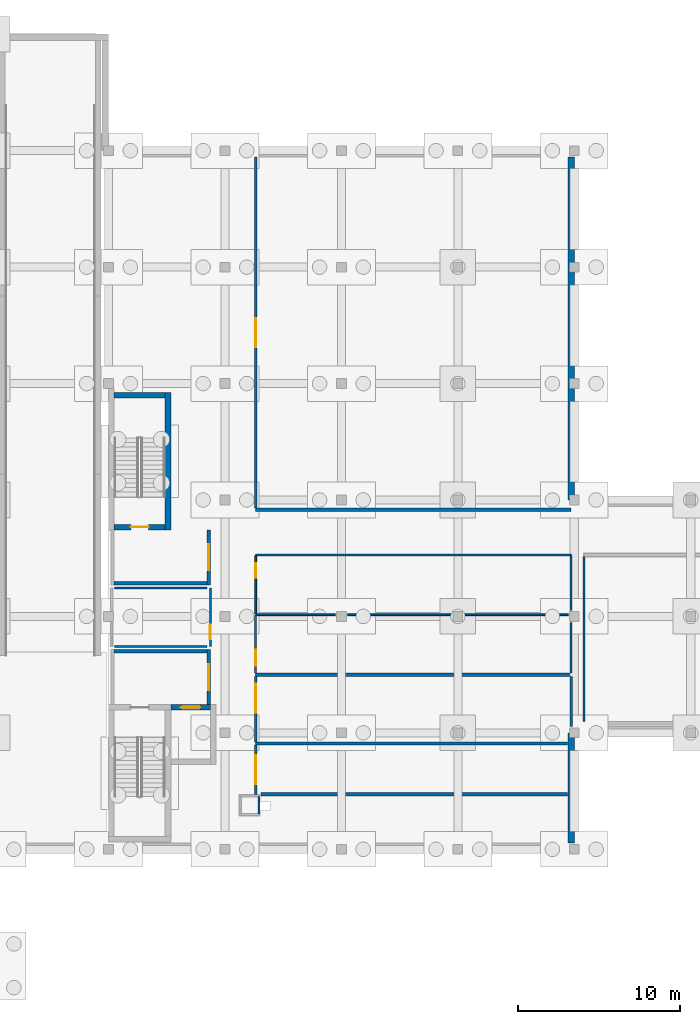
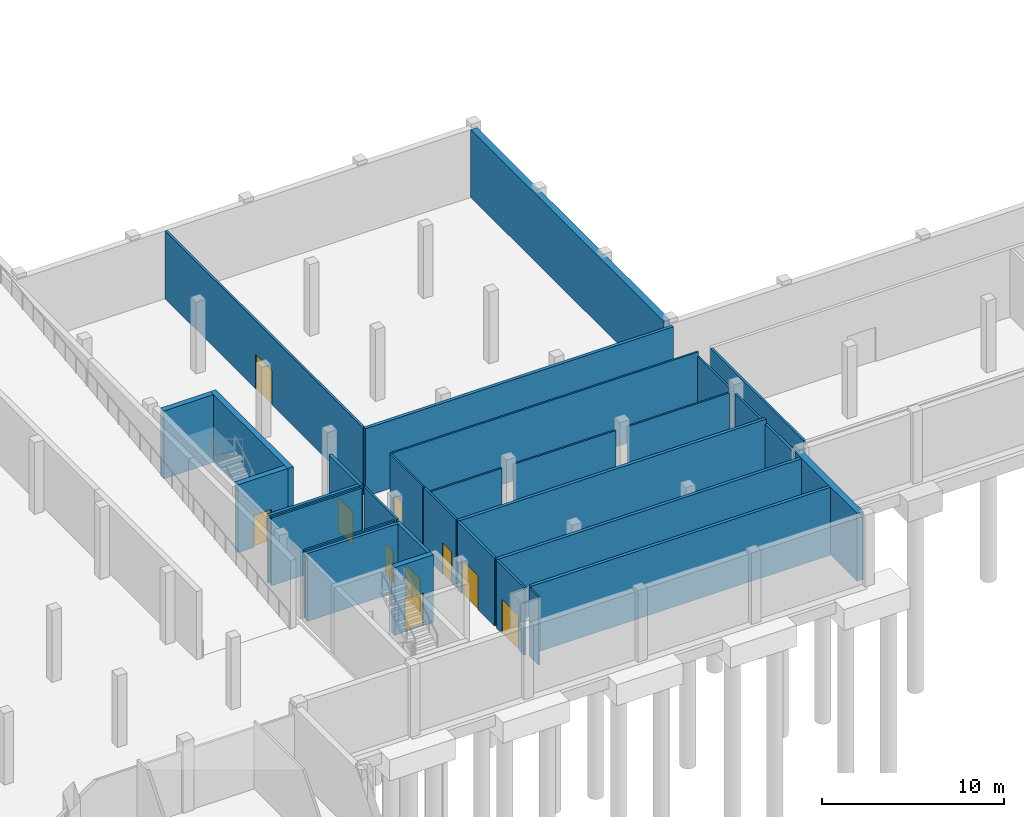
# One storey, part 20 of 35: 31 walls, 10 doors, 10 openings.
"""IFC4 building model written with IfcOpenShell, lengths in metres."""

from ifc_helpers import new_model, si_unit, direction, frame, frame_2d, origin, place, context, subcontext, project, spatial, rectangle, extrude, material, layer, layer_set, type_object, element, fill, save


model = new_model("IFC4")

# Units and contexts
model_context = context("Model", 3, precision=1e-05, world=origin(), true_north=direction((0.0, 1.0)))
body_context = subcontext(model_context, "Body", "Model", "MODEL_VIEW")
ifc_project = project(units=[si_unit("LENGTHUNIT", "METRE"), si_unit("AREAUNIT", "SQUARE_METRE"), si_unit("VOLUMEUNIT", "CUBIC_METRE"), si_unit("PLANEANGLEUNIT", "RADIAN"), si_unit("MASSUNIT", "GRAM", prefix="KILO")], contexts=[model_context])

# Site, building, storey
site_placement = place(None, origin())
site = spatial("IfcSite", under=ifc_project, at=site_placement, CompositionType="ELEMENT")
building_placement = place(site_placement, origin())
building = spatial("IfcBuilding", under=site, at=building_placement, Name="Zarrinpeak Specialist Clinic", CompositionType="ELEMENT")
storey_placement = place(building_placement, frame((0.0, 0.0, -4.800048828125)))
storey = spatial("IfcBuildingStorey", under=building, at=storey_placement, Name="B01", CompositionType="ELEMENT", Elevation=-4.800048828125)

# Wall, opening, door
ifc_material_1 = material(Name="Concrete C40/50", Category="concrete")
ifc_layer_1 = layer(ifc_material_1, 0.35009765625)
ifc_layer_set_1 = layer_set([ifc_layer_1], Name="Concrete C40/50")
wall_type_1 = type_object("IfcWallType", Name="WL-CR350", PredefinedType="SHEAR", material=ifc_layer_set_1)
wall_1_placement = place(storey_placement, frame((97.449951171875, 37.574951171875, 0.0), z_axis=(0.0, 0.0, 1.0), x_axis=(1.0, 0.0, 0.0)))
wall_1 = element("IfcWall", 1, at=wall_1_placement, inside=storey, type_object=wall_type_1, Name="B01 Lift LF-P3 Shaft Wall LFN", PredefinedType="SHEAR", context=body_context, shape_type="SweptSolid", body=[
    extrude(rectangle(XDim=2.449951171875, YDim=0.35009765625, at=frame_2d((1.22509765625, 0.0))), origin(), (0.0, 0.0, 1.0), 4.545166015625),
])
opening_1_placement = place(wall_1_placement, frame((0.625, 0.0, 0.0)))
opening_1 = element("IfcOpeningElement", 2, at=opening_1_placement, cuts=wall_1, Name="Opening LD-02", PredefinedType="OPENING", context=body_context, shape_type="SweptSolid", body=[
    extrude(rectangle(XDim=1.199951171875, YDim=2.199951171875, at=frame_2d((0.60009765625, 1.10009765625))), frame((0.0, 0.18505859375, 0.0), z_axis=(0.0, -1.0, 0.0), x_axis=(1.0, 0.0, 0.0)), (0.0, 0.0, 1.0), 0.3701171875),
])
ifc_material_2 = material(Name="Powder-Coated Galvanised Steel", Category="steel")
door_type_1 = type_object("IfcDoorType", Name="DR-LD120", OperationType="SLIDING_TO_RIGHT", PredefinedType="DOOR", material=ifc_material_2)
door_1_placement = place(opening_1_placement, origin())
door_1 = element("IfcDoor", 3, at=door_1_placement, inside=storey, type_object=door_type_1, Name="B01 Lift LF-P3 Sliding Landing Door", OperationType="SLIDING_TO_RIGHT", OverallHeight=2.199951171875, OverallWidth=1.199951171875, PredefinedType="DOOR", context=body_context, shape_type="SweptSolid", body=[
    extrude(rectangle(XDim=1.199951171875, YDim=2.199951171875, at=frame_2d((0.60009765625, 1.10009765625))), frame((0.0, 0.02490234375, 0.0), z_axis=(0.0, -1.0, 0.0), x_axis=(1.0, 0.0, 0.0)), (0.0, 0.0, 1.0), 0.050048828125),
])
fill(opening_1, door_1)

wall_2_placement = place(storey_placement, frame((93.949951171875, 48.72509765625, 0.0), z_axis=(0.0, 0.0, 1.0), x_axis=(1.0, 0.0, 0.0)))
wall_2 = element("IfcWall", 4, at=wall_2_placement, inside=storey, type_object=wall_type_1, Name="B01 Core C06 Shear Wall STS", PredefinedType="SHEAR", context=body_context, shape_type="SweptSolid", body=[
    extrude(rectangle(XDim=3.150146484375, YDim=0.35009765625, at=frame_2d((1.5751953125, 0.0))), origin(), (0.0, 0.0, 1.0), 4.545166015625),
])
opening_2_placement = place(wall_2_placement, frame((1.02490234375, 0.0, 0.0)))
opening_2 = element("IfcOpeningElement", 5, at=opening_2_placement, cuts=wall_2, Name="Opening D-S02", PredefinedType="OPENING", context=body_context, shape_type="SweptSolid", body=[
    extrude(rectangle(XDim=1.10009765625, YDim=2.14990234375, at=frame_2d((0.550048828125, 1.074951171875))), frame((0.0, 0.18505859375, 0.0), z_axis=(0.0, -1.0, 0.0), x_axis=(1.0, 0.0, 0.0)), (0.0, 0.0, 1.0), 0.3701171875),
])
door_type_2 = type_object("IfcDoorType", Name="DR-FD110", OperationType="SINGLE_SWING_RIGHT", PredefinedType="DOOR", material=ifc_material_2)
door_2_placement = place(opening_2_placement, origin())
door_2 = element("IfcDoor", 6, at=door_2_placement, inside=storey, type_object=door_type_2, Name="B01 Protected Stair ST-06 Fire Door", OperationType="SINGLE_SWING_RIGHT", OverallHeight=2.14990234375, OverallWidth=1.10009765625, PredefinedType="DOOR", context=body_context, shape_type="SweptSolid", body=[
    extrude(rectangle(XDim=1.10009765625, YDim=2.14990234375, at=frame_2d((0.550048828125, 1.074951171875))), frame((0.0, 0.02490234375, 0.0), z_axis=(0.0, -1.0, 0.0), x_axis=(1.0, 0.0, 0.0)), (0.0, 0.0, 1.0), 0.050048828125),
])
fill(opening_2, door_2)

# Walls
wall_3_placement = place(storey_placement, frame((93.949951171875, 56.875, 0.0), z_axis=(0.0, 0.0, 1.0), x_axis=(1.0, 0.0, 0.0)))
element("IfcWall", 7, at=wall_3_placement, inside=storey, type_object=wall_type_1, Name="B01 Core C06 Shear Wall STN", PredefinedType="SHEAR", context=body_context, shape_type="SweptSolid", body=[
    extrude(rectangle(XDim=3.150146484375, YDim=0.35009765625, at=frame_2d((1.5751953125, 0.0))), origin(), (0.0, 0.0, 1.0), 4.545166015625),
])
wall_4_placement = place(storey_placement, frame((97.27490234375, 48.550048828125, 0.0), z_axis=(0.0, 0.0, 1.0), x_axis=(0.0, 1.0, 0.0)))
element("IfcWall", 8, at=wall_4_placement, inside=storey, type_object=wall_type_1, Name="B01 Core C06 Shear Wall STE", PredefinedType="SHEAR", context=body_context, shape_type="SweptSolid", body=[
    extrude(rectangle(XDim=8.5, YDim=0.35009765625, at=frame_2d((4.25, 0.0))), origin(), (0.0, 0.0, 1.0), 4.545166015625),
])
ifc_material_3 = material(Name="Sanitary Service Chase Plumbing Wall", Category="gypsum")
ifc_layer_2 = layer(ifc_material_3, 0.110107421875)
ifc_layer_set_2 = layer_set([ifc_layer_2], Name="Sanitary Service Chase Plumbing Wall")
wall_type_2 = type_object("IfcWallType", Name="WL-IW110", PredefinedType="PARTITIONING", material=ifc_layer_set_2)
wall_5_placement = place(storey_placement, frame((102.905029296875, 31.0, 0.0), z_axis=(0.0, 0.0, 1.0), x_axis=(0.0, 1.0, 0.0)))
element("IfcWall", 9, at=wall_5_placement, inside=storey, type_object=wall_type_2, Name="B01 V3 Enclosed MEP Service Riser Wall E", PredefinedType="PARTITIONING", context=body_context, shape_type="SweptSolid", body=[
    extrude(rectangle(XDim=1.050048828125, YDim=0.110107421875, at=frame_2d((0.52490234375, 0.0))), origin(), (0.0, 0.0, 1.0), 4.5400390625),
])
wall_6_placement = place(storey_placement, frame((102.699951171875, 43.300048828125, 0.0), z_axis=(0.0, 0.0, 1.0), x_axis=(1.0, 0.0, 0.0)))
element("IfcWall", 10, at=wall_6_placement, inside=storey, type_object=wall_type_2, Name="B01 Accessible Changing WC Partition", PredefinedType="PARTITIONING", context=body_context, shape_type="SweptSolid", body=[
    extrude(rectangle(XDim=4.920166015625, YDim=0.110107421875, at=frame_2d((2.4599609375, 0.0))), origin(), (0.0, 0.0, 1.0), 4.094970703125),
])
wall_7_placement = place(storey_placement, frame((108.3798828125, 43.300048828125, 0.0), z_axis=(0.0, 0.0, 1.0), x_axis=(1.0, 0.0, 0.0)))
element("IfcWall", 11, at=wall_7_placement, inside=storey, type_object=wall_type_2, Name="B01 Accessible Changing WC Partition", PredefinedType="PARTITIONING", context=body_context, shape_type="SweptSolid", body=[
    extrude(rectangle(XDim=6.440185546875, YDim=0.110107421875, at=frame_2d((3.22021484375, 0.0))), origin(), (0.0, 0.0, 1.0), 4.094970703125),
])
wall_8_placement = place(storey_placement, frame((115.580078125, 43.300048828125, 0.0), z_axis=(0.0, 0.0, 1.0), x_axis=(1.0, 0.0, 0.0)))
element("IfcWall", 12, at=wall_8_placement, inside=storey, type_object=wall_type_2, Name="B01 Accessible Changing WC Partition", PredefinedType="PARTITIONING", context=body_context, shape_type="SweptSolid", body=[
    extrude(rectangle(XDim=6.43994140625, YDim=0.110107421875, at=frame_2d((3.219970703125, 0.0))), origin(), (0.0, 0.0, 1.0), 4.094970703125),
])
wall_9_placement = place(storey_placement, frame((102.699951171875, 47.0, 0.0), z_axis=(0.0, 0.0, 1.0), x_axis=(1.0, 0.0, 0.0)))
element("IfcWall", 13, at=wall_9_placement, inside=storey, type_object=wall_type_2, Name="B01 Therapist Locker Washroom Partition", PredefinedType="PARTITIONING", context=body_context, shape_type="SweptSolid", body=[
    extrude(rectangle(XDim=19.5, YDim=0.110107421875, at=frame_2d((9.75, 0.0))), origin(), (0.0, 0.0, 1.0), 4.545166015625),
])

# Wall, opening, door
wall_10_placement = place(storey_placement, frame((99.89990234375, 41.35009765625, 0.0), z_axis=(0.0, 0.0, 1.0), x_axis=(0.0, 1.0, 0.0)))
wall_10 = element("IfcWall", 14, at=wall_10_placement, inside=storey, type_object=wall_type_2, Name="B01 B01 V3 Assisted Rehab Washroom Dividing Partition", PredefinedType="PARTITIONING", context=body_context, shape_type="SweptSolid", body=[
    extrude(rectangle(XDim=3.599853515625, YDim=0.110107421875, at=frame_2d((1.7998046875, 0.0))), origin(), (0.0, 0.0, 1.0), 4.545166015625),
])
opening_3_placement = place(wall_10_placement, frame((0.449951171875, 0.0, 0.0)))
opening_3 = element("IfcOpeningElement", 15, at=opening_3_placement, cuts=wall_10, Name="Opening D-W01", PredefinedType="OPENING", context=body_context, shape_type="SweptSolid", body=[
    extrude(rectangle(XDim=0.89990234375, YDim=2.10009765625, at=frame_2d((0.449951171875, 1.050048828125))), frame((0.0, 0.06494140625, 0.0), z_axis=(0.0, -1.0, 0.0), x_axis=(1.0, 0.0, 0.0)), (0.0, 0.0, 1.0), 0.130126953125),
])
door_type_3 = type_object("IfcDoorType", Name="DR-WC90", OperationType="SINGLE_SWING_RIGHT", PredefinedType="DOOR", material=ifc_material_2)
door_3_placement = place(opening_3_placement, frame((0.89990234375, 0.0, 0.0), z_axis=(0.0, 0.0, 1.0), x_axis=(-1.0, 0.0, 0.0)))
door_3 = element("IfcDoor", 16, at=door_3_placement, inside=storey, type_object=door_type_3, Name="B01 B01 V3 Assisted Rehab Washroom Door", OperationType="SINGLE_SWING_RIGHT", OverallHeight=2.10009765625, OverallWidth=0.89990234375, PredefinedType="DOOR", context=body_context, shape_type="SweptSolid", body=[
    extrude(rectangle(XDim=0.89990234375, YDim=2.10009765625, at=frame_2d((0.449951171875, 1.050048828125))), frame((0.0, 0.02490234375, 0.0), z_axis=(0.0, -1.0, 0.0), x_axis=(1.0, 0.0, 0.0)), (0.0, 0.0, 1.0), 0.050048828125),
])
fill(opening_3, door_3)

wall_11_placement = place(storey_placement, frame((102.699951171875, 43.35498046875, 0.0), z_axis=(0.0, 0.0, 1.0), x_axis=(0.0, 1.0, 0.0)))
wall_11 = element("IfcWall", 17, at=wall_11_placement, inside=storey, type_object=wall_type_2, Name="B01 Therapist Locker Washroom Dividing Partition", PredefinedType="PARTITIONING", context=body_context, shape_type="SweptSolid", body=[
    extrude(rectangle(XDim=3.590087890625, YDim=0.110107421875, at=frame_2d((1.794921875, 0.0))), origin(), (0.0, 0.0, 1.0), 4.545166015625),
])
opening_4_placement = place(wall_11_placement, frame((2.239990234375, 0.0, 0.0)))
opening_4 = element("IfcOpeningElement", 18, at=opening_4_placement, cuts=wall_11, Name="Opening D-W01", PredefinedType="OPENING", context=body_context, shape_type="SweptSolid", body=[
    extrude(rectangle(XDim=0.89990234375, YDim=2.10009765625, at=frame_2d((0.449951171875, 1.050048828125))), frame((0.0, 0.06494140625, 0.0), z_axis=(0.0, -1.0, 0.0), x_axis=(1.0, 0.0, 0.0)), (0.0, 0.0, 1.0), 0.130126953125),
])
door_4_placement = place(opening_4_placement, origin())
door_4 = element("IfcDoor", 19, at=door_4_placement, inside=storey, type_object=door_type_3, Name="B01 Therapist Locker Washroom Door", OperationType="SINGLE_SWING_RIGHT", OverallHeight=2.10009765625, OverallWidth=0.89990234375, PredefinedType="DOOR", context=body_context, shape_type="SweptSolid", body=[
    extrude(rectangle(XDim=0.89990234375, YDim=2.10009765625, at=frame_2d((0.449951171875, 1.050048828125))), frame((0.0, 0.02490234375, 0.0), z_axis=(0.0, -1.0, 0.0), x_axis=(1.0, 0.0, 0.0)), (0.0, 0.0, 1.0), 0.050048828125),
])
fill(opening_4, door_4)

# Walls
wall_12_placement = place(storey_placement, frame((122.199951171875, 43.580078125, 0.0), z_axis=(0.0, 0.0, 1.0), x_axis=(0.0, 1.0, 0.0)))
element("IfcWall", 20, at=wall_12_placement, inside=storey, type_object=wall_type_2, Name="B01 Therapist Locker Washroom Dividing Partition", PredefinedType="PARTITIONING", context=body_context, shape_type="SweptSolid", body=[
    extrude(rectangle(XDim=3.364990234375, YDim=0.110107421875, at=frame_2d((1.6826171875, 0.0))), origin(), (0.0, 0.0, 1.0), 4.2451171875),
])
ifc_material_4 = material(Name="Moisture-Resistant Wet-Room Partition", Category="gypsum")
ifc_layer_3 = layer(ifc_material_4, 0.125)
ifc_layer_set_3 = layer_set([ifc_layer_3], Name="Moisture-Resistant Wet-Room Partition")
wall_type_3 = type_object("IfcWallType", Name="WL-IW125W", PredefinedType="PARTITIONING", material=ifc_layer_set_3)
for number, where, z_axis, x_axis, name in (
    (21, (93.969970703125, 41.35009765625, 0.0), (0.0, 0.0, 1.0), (1.0, 0.0, 0.0), "B01 B01 V3 Assisted Rehab Washroom Partition"),
    (22, (93.969970703125, 44.949951171875, 0.0), (0.0, 0.0, 1.0), (1.0, 0.0, 0.0), "B01 B01 V3 Assisted Rehab Washroom Partition"),
):
    element("IfcWall", number, at=place(storey_placement, frame(where, z_axis=z_axis, x_axis=x_axis)), inside=storey, type_object=wall_type_3, Name=name, PredefinedType="PARTITIONING", context=body_context, shape_type="SweptSolid", body=[
        extrude(rectangle(XDim=5.7099609375, YDim=0.125, at=frame_2d((2.85498046875, 0.0))), origin(), (0.0, 0.0, 1.0), 4.545166015625),
    ])

# Wall, opening, door
wall_13_placement = place(storey_placement, frame((102.699951171875, 39.699951171875, 0.0), z_axis=(0.0, 0.0, 1.0), x_axis=(0.0, 1.0, 0.0)))
wall_13 = element("IfcWall", 23, at=wall_13_placement, inside=storey, type_object=wall_type_3, Name="B01 Accessible Changing WC Dividing Partition", PredefinedType="PARTITIONING", context=body_context, shape_type="SweptSolid", body=[
    extrude(rectangle(XDim=3.545166015625, YDim=0.125, at=frame_2d((1.7724609375, 0.0))), origin(), (0.0, 0.0, 1.0), 4.545166015625),
])
opening_5_placement = place(wall_13_placement, frame((0.449951171875, 0.0, 0.0)))
opening_5 = element("IfcOpeningElement", 24, at=opening_5_placement, cuts=wall_13, Name="Opening D-W02", PredefinedType="OPENING", context=body_context, shape_type="SweptSolid", body=[
    extrude(rectangle(XDim=1.0, YDim=2.10009765625, at=frame_2d((0.5, 1.050048828125))), frame((0.0, 0.072509765625, 0.0), z_axis=(0.0, -1.0, 0.0), x_axis=(1.0, 0.0, 0.0)), (0.0, 0.0, 1.0), 0.14501953125),
])
door_type_4 = type_object("IfcDoorType", Name="DR-AWC100", OperationType="SLIDING_TO_LEFT", PredefinedType="DOOR", material=ifc_material_2)
door_5_placement = place(opening_5_placement, origin())
door_5 = element("IfcDoor", 25, at=door_5_placement, inside=storey, type_object=door_type_4, Name="B01 Accessible Changing WC Door", OperationType="SLIDING_TO_LEFT", OverallHeight=2.10009765625, OverallWidth=1.0, PredefinedType="DOOR", context=body_context, shape_type="SweptSolid", body=[
    extrude(rectangle(XDim=1.0, YDim=2.10009765625, at=frame_2d((0.5, 1.050048828125))), frame((0.0, 0.02490234375, 0.0), z_axis=(0.0, -1.0, 0.0), x_axis=(1.0, 0.0, 0.0)), (0.0, 0.0, 1.0), 0.050048828125),
])
fill(opening_5, door_5)

# Wall
wall_14_placement = place(storey_placement, frame((122.199951171875, 39.699951171875, 0.0), z_axis=(0.0, 0.0, 1.0), x_axis=(0.0, 1.0, 0.0)))
element("IfcWall", 26, at=wall_14_placement, inside=storey, type_object=wall_type_3, Name="B01 Accessible Changing WC Dividing Partition", PredefinedType="PARTITIONING", context=body_context, shape_type="SweptSolid", body=[
    extrude(rectangle(XDim=3.1201171875, YDim=0.125, at=frame_2d((1.56005859375, 0.0))), origin(), (0.0, 0.0, 1.0), 4.2451171875),
])

# Wall, opening, door
ifc_material_5 = material(Name="Standard Drywall Partition", Category="gypsum")
ifc_layer_4 = layer(ifc_material_5, 0.135009765625)
ifc_layer_set_4 = layer_set([ifc_layer_4], Name="Standard Drywall Partition")
wall_type_4 = type_object("IfcWallType", Name="WL-IW135", PredefinedType="PARTITIONING", material=ifc_layer_set_4)
wall_15_placement = place(storey_placement, frame((102.699951171875, 32.199951171875, 0.0), z_axis=(0.0, 0.0, 1.0), x_axis=(0.0, 1.0, 0.0)))
wall_15 = element("IfcWall", 27, at=wall_15_placement, inside=storey, type_object=wall_type_4, Name="B01 Hydrotherapy Filtration Plant Dividing Partition", PredefinedType="PARTITIONING", context=body_context, shape_type="SweptSolid", body=[
    extrude(rectangle(XDim=3.050048828125, YDim=0.135009765625, at=frame_2d((1.52490234375, 0.0))), origin(), (0.0, 0.0, 1.0), 4.545166015625),
])
opening_6_placement = place(wall_15_placement, frame((0.625, 0.0, 0.0)))
opening_6 = element("IfcOpeningElement", 28, at=opening_6_placement, cuts=wall_15, Name="Opening D-P01", PredefinedType="OPENING", context=body_context, shape_type="SweptSolid", body=[
    extrude(rectangle(XDim=1.800048828125, YDim=2.300048828125, at=frame_2d((0.89990234375, 1.14990234375))), frame((0.0, 0.07763671875, 0.0), z_axis=(0.0, -1.0, 0.0), x_axis=(1.0, 0.0, 0.0)), (0.0, 0.0, 1.0), 0.155029296875),
])
door_type_5 = type_object("IfcDoorType", Name="DR-PLT180", OperationType="DOUBLE_DOOR_SINGLE_SWING", PredefinedType="DOOR", material=ifc_material_2)
door_6_placement = place(opening_6_placement, origin())
door_6 = element("IfcDoor", 29, at=door_6_placement, inside=storey, type_object=door_type_5, Name="B01 Hydrotherapy Filtration Plant Door", OperationType="DOUBLE_DOOR_SINGLE_SWING", OverallHeight=2.300048828125, OverallWidth=1.800048828125, PredefinedType="DOOR", context=body_context, shape_type="SweptSolid", body=[
    extrude(rectangle(XDim=1.800048828125, YDim=2.300048828125, at=frame_2d((0.89990234375, 1.14990234375))), frame((0.0, 0.02490234375, 0.0), z_axis=(0.0, -1.0, 0.0), x_axis=(1.0, 0.0, 0.0)), (0.0, 0.0, 1.0), 0.050048828125),
])
fill(opening_6, door_6)

wall_16_placement = place(storey_placement, frame((102.699951171875, 49.89990234375, 0.0), z_axis=(0.0, 0.0, 1.0), x_axis=(0.0, 1.0, 0.0)))
wall_16 = element("IfcWall", 30, at=wall_16_placement, inside=storey, type_object=wall_type_4, Name="B01 Bulk Medical Gas and Vacuum Plant Room Dividing Partition", PredefinedType="PARTITIONING", context=body_context, shape_type="SweptSolid", body=[
    extrude(rectangle(XDim=21.7001953125, YDim=0.135009765625, at=frame_2d((10.85009765625, 0.0))), origin(), (0.0, 0.0, 1.0), 4.545166015625),
])
opening_7_placement = place(wall_16_placement, frame((9.949951171875, 0.0, 0.0)))
opening_7 = element("IfcOpeningElement", 31, at=opening_7_placement, cuts=wall_16, Name="Opening D-P01", PredefinedType="OPENING", context=body_context, shape_type="SweptSolid", body=[
    extrude(rectangle(XDim=1.800048828125, YDim=2.300048828125, at=frame_2d((0.89990234375, 1.14990234375))), frame((0.0, 0.07763671875, 0.0), z_axis=(0.0, -1.0, 0.0), x_axis=(1.0, 0.0, 0.0)), (0.0, 0.0, 1.0), 0.155029296875),
])
door_7_placement = place(opening_7_placement, origin())
door_7 = element("IfcDoor", 32, at=door_7_placement, inside=storey, type_object=door_type_5, Name="B01 Bulk Medical Gas and Vacuum Plant Room Door", OperationType="DOUBLE_DOOR_SINGLE_SWING", OverallHeight=2.300048828125, OverallWidth=1.800048828125, PredefinedType="DOOR", context=body_context, shape_type="SweptSolid", body=[
    extrude(rectangle(XDim=1.800048828125, YDim=2.300048828125, at=frame_2d((0.89990234375, 1.14990234375))), frame((0.0, 0.02490234375, 0.0), z_axis=(0.0, -1.0, 0.0), x_axis=(1.0, 0.0, 0.0)), (0.0, 0.0, 1.0), 0.050048828125),
])
fill(opening_7, door_7)

# Wall
wall_17_placement = place(storey_placement, frame((123.0, 36.699951171875, 0.0), z_axis=(0.0, 0.0, 1.0), x_axis=(0.0, 1.0, 0.0)))
element("IfcWall", 33, at=wall_17_placement, inside=storey, type_object=wall_type_4, Name="B01 Central Chiller and Heat Recovery Plant Dividing Partition", PredefinedType="PARTITIONING", context=body_context, shape_type="SweptSolid", body=[
    extrude(rectangle(XDim=10.199951171875, YDim=0.135009765625, at=frame_2d((5.10009765625, 0.0))), origin(), (0.0, 0.0, 1.0), 4.545166015625),
])

# Wall, opening, door
ifc_material_6 = material(Name="Acoustic Double Gypsum Stud Partition", Category="gypsum")
ifc_layer_5 = layer(ifc_material_6, 0.159912109375)
ifc_layer_set_5 = layer_set([ifc_layer_5], Name="Acoustic Double Gypsum Stud Partition")
wall_type_5 = type_object("IfcWallType", Name="WL-IW160", PredefinedType="PARTITIONING", material=ifc_layer_set_5)
wall_18_placement = place(storey_placement, frame((102.699951171875, 35.449951171875, 0.0), z_axis=(0.0, 0.0, 1.0), x_axis=(0.0, 1.0, 0.0)))
wall_18 = element("IfcWall", 34, at=wall_18_placement, inside=storey, type_object=wall_type_5, Name="B01 Rehabilitation Equipment Store Dividing Partition", PredefinedType="PARTITIONING", context=body_context, shape_type="SweptSolid", body=[
    extrude(rectangle(XDim=4.050048828125, YDim=0.159912109375, at=frame_2d((2.02490234375, 0.0))), origin(), (0.0, 0.0, 1.0), 4.545166015625),
])
opening_8_placement = place(wall_18_placement, frame((1.800048828125, 0.0, 0.0)))
opening_8 = element("IfcOpeningElement", 35, at=opening_8_placement, cuts=wall_18, Name="Opening D-P01", PredefinedType="OPENING", context=body_context, shape_type="SweptSolid", body=[
    extrude(rectangle(XDim=1.800048828125, YDim=2.300048828125, at=frame_2d((0.89990234375, 1.14990234375))), frame((0.0, 0.08984375, 0.0), z_axis=(0.0, -1.0, 0.0), x_axis=(1.0, 0.0, 0.0)), (0.0, 0.0, 1.0), 0.179931640625),
])
door_8_placement = place(opening_8_placement, origin())
door_8 = element("IfcDoor", 36, at=door_8_placement, inside=storey, type_object=door_type_5, Name="B01 Rehabilitation Equipment Store Door", OperationType="DOUBLE_DOOR_SINGLE_SWING", OverallHeight=2.300048828125, OverallWidth=1.800048828125, PredefinedType="DOOR", context=body_context, shape_type="SweptSolid", body=[
    extrude(rectangle(XDim=1.800048828125, YDim=2.300048828125, at=frame_2d((0.89990234375, 1.14990234375))), frame((0.0, 0.02490234375, 0.0), z_axis=(0.0, -1.0, 0.0), x_axis=(1.0, 0.0, 0.0)), (0.0, 0.0, 1.0), 0.050048828125),
])
fill(opening_8, door_8)

# Wall
wall_19_placement = place(storey_placement, frame((122.199951171875, 36.39990234375, 0.0), z_axis=(0.0, 0.0, 1.0), x_axis=(0.0, 1.0, 0.0)))
element("IfcWall", 37, at=wall_19_placement, inside=storey, type_object=wall_type_5, Name="B01 Rehabilitation Equipment Store Dividing Partition", PredefinedType="PARTITIONING", context=body_context, shape_type="SweptSolid", body=[
    extrude(rectangle(XDim=3.10009765625, YDim=0.159912109375, at=frame_2d((1.550048828125, 0.0))), origin(), (0.0, 0.0, 1.0), 4.2451171875),
])

# Wall, opening, door
ifc_material_7 = material(Name="Autoclaved Aerated Concrete Blockwork", Category="masonry")
ifc_layer_6 = layer(ifc_material_7, 0.199951171875)
ifc_layer_set_6 = layer_set([ifc_layer_6], Name="Autoclaved Aerated Concrete Blockwork")
wall_type_6 = type_object("IfcWallType", Name="WL-IW200", PredefinedType="PARTITIONING", material=ifc_layer_set_6)
wall_20_placement = place(storey_placement, frame((99.800048828125, 37.75, 0.0), z_axis=(0.0, 0.0, 1.0), x_axis=(0.0, 1.0, 0.0)))
wall_20 = element("IfcWall", 38, at=wall_20_placement, inside=storey, type_object=wall_type_6, Name="B01 C05 Protected Lobby Partition LBF", PredefinedType="PARTITIONING", context=body_context, shape_type="SweptSolid", body=[
    extrude(rectangle(XDim=3.39990234375, YDim=0.199951171875, at=frame_2d((1.699951171875, 0.0))), origin(), (0.0, 0.0, 1.0), 4.545166015625),
])
opening_9_placement = place(wall_20_placement, frame((0.89990234375, 0.0, 0.0)))
opening_9 = element("IfcOpeningElement", 39, at=opening_9_placement, cuts=wall_20, Name="Opening D-L01", PredefinedType="OPENING", context=body_context, shape_type="SweptSolid", body=[
    extrude(rectangle(XDim=1.60009765625, YDim=2.199951171875, at=frame_2d((0.800048828125, 1.10009765625))), frame((0.0, 0.10986328125, 0.0), z_axis=(0.0, -1.0, 0.0), x_axis=(1.0, 0.0, 0.0)), (0.0, 0.0, 1.0), 0.219970703125),
])
door_type_6 = type_object("IfcDoorType", Name="DR-LB160", OperationType="DOUBLE_DOOR_SINGLE_SWING", PredefinedType="DOOR", material=ifc_material_2)
door_9_placement = place(opening_9_placement, origin())
door_9 = element("IfcDoor", 40, at=door_9_placement, inside=storey, type_object=door_type_6, Name="B01 C05 Lobby Hold-Open Fire Door", OperationType="DOUBLE_DOOR_SINGLE_SWING", OverallHeight=2.199951171875, OverallWidth=1.60009765625, PredefinedType="DOOR", context=body_context, shape_type="SweptSolid", body=[
    extrude(rectangle(XDim=1.60009765625, YDim=2.199951171875, at=frame_2d((0.800048828125, 1.10009765625))), frame((0.0, 0.02490234375, 0.0), z_axis=(0.0, -1.0, 0.0), x_axis=(1.0, 0.0, 0.0)), (0.0, 0.0, 1.0), 0.050048828125),
])
fill(opening_9, door_9)

# Wall
wall_21_placement = place(storey_placement, frame((93.949951171875, 41.050048828125, 0.0), z_axis=(0.0, 0.0, 1.0), x_axis=(1.0, 0.0, 0.0)))
element("IfcWall", 41, at=wall_21_placement, inside=storey, type_object=wall_type_6, Name="B01 C05 Protected Lobby Partition LBSIDE", PredefinedType="PARTITIONING", context=body_context, shape_type="SweptSolid", body=[
    extrude(rectangle(XDim=5.75, YDim=0.199951171875, at=frame_2d((2.875, 0.0))), origin(), (0.0, 0.0, 1.0), 4.545166015625),
])

# Wall, opening, door
wall_22_placement = place(storey_placement, frame((99.800048828125, 45.14990234375, 0.0), z_axis=(0.0, 0.0, 1.0), x_axis=(0.0, 1.0, 0.0)))
wall_22 = element("IfcWall", 42, at=wall_22_placement, inside=storey, type_object=wall_type_6, Name="B01 C06 Protected Lobby Partition LBF", PredefinedType="PARTITIONING", context=body_context, shape_type="SweptSolid", body=[
    extrude(rectangle(XDim=3.400146484375, YDim=0.199951171875, at=frame_2d((1.7001953125, 0.0))), origin(), (0.0, 0.0, 1.0), 4.545166015625),
])
opening_10_placement = place(wall_22_placement, frame((0.89990234375, 0.0, 0.0)))
opening_10 = element("IfcOpeningElement", 43, at=opening_10_placement, cuts=wall_22, Name="Opening D-L01", PredefinedType="OPENING", context=body_context, shape_type="SweptSolid", body=[
    extrude(rectangle(XDim=1.60009765625, YDim=2.199951171875, at=frame_2d((0.800048828125, 1.10009765625))), frame((0.0, 0.10986328125, 0.0), z_axis=(0.0, -1.0, 0.0), x_axis=(1.0, 0.0, 0.0)), (0.0, 0.0, 1.0), 0.219970703125),
])
door_10_placement = place(opening_10_placement, origin())
door_10 = element("IfcDoor", 44, at=door_10_placement, inside=storey, type_object=door_type_6, Name="B01 C06 Lobby Hold-Open Fire Door", OperationType="DOUBLE_DOOR_SINGLE_SWING", OverallHeight=2.199951171875, OverallWidth=1.60009765625, PredefinedType="DOOR", context=body_context, shape_type="SweptSolid", body=[
    extrude(rectangle(XDim=1.60009765625, YDim=2.199951171875, at=frame_2d((0.800048828125, 1.10009765625))), frame((0.0, 0.02490234375, 0.0), z_axis=(0.0, -1.0, 0.0), x_axis=(1.0, 0.0, 0.0)), (0.0, 0.0, 1.0), 0.050048828125),
])
fill(opening_10, door_10)

# Walls
wall_23_placement = place(storey_placement, frame((93.949951171875, 45.25, 0.0), z_axis=(0.0, 0.0, 1.0), x_axis=(1.0, 0.0, 0.0)))
element("IfcWall", 45, at=wall_23_placement, inside=storey, type_object=wall_type_6, Name="B01 C06 Protected Lobby Partition LBSIDE", PredefinedType="PARTITIONING", context=body_context, shape_type="SweptSolid", body=[
    extrude(rectangle(XDim=5.75, YDim=0.199951171875, at=frame_2d((2.875, 0.0))), origin(), (0.0, 0.0, 1.0), 4.545166015625),
])
wall_24_placement = place(storey_placement, frame((103.034912109375, 32.199951171875, 0.0), z_axis=(0.0, 0.0, 1.0), x_axis=(1.0, 0.0, 0.0)))
element("IfcWall", 46, at=wall_24_placement, inside=storey, type_object=wall_type_6, Name="B01 Hydrotherapy Filtration Plant Partition", PredefinedType="PARTITIONING", context=body_context, shape_type="SweptSolid", body=[
    extrude(rectangle(XDim=18.945068359375, YDim=0.199951171875, at=frame_2d((9.47265625, 0.0))), origin(), (0.0, 0.0, 1.0), 4.545166015625),
])
wall_25_placement = place(storey_placement, frame((102.699951171875, 35.35009765625, 0.0), z_axis=(0.0, 0.0, 1.0), x_axis=(1.0, 0.0, 0.0)))
element("IfcWall", 47, at=wall_25_placement, inside=storey, type_object=wall_type_6, Name="B01 Hydrotherapy Filtration Plant Partition", PredefinedType="PARTITIONING", context=body_context, shape_type="SweptSolid", body=[
    extrude(rectangle(XDim=19.280029296875, YDim=0.199951171875, at=frame_2d((9.64013671875, 0.0))), origin(), (0.0, 0.0, 1.0), 4.545166015625),
])
for number, where, z_axis, x_axis, name in (
    (48, (102.699951171875, 39.60009765625, 0.0), (0.0, 0.0, 1.0), (1.0, 0.0, 0.0), "B01 Rehabilitation Equipment Store Partition"),
    (49, (102.699951171875, 49.800048828125, 0.0), (0.0, 0.0, 1.0), (1.0, 0.0, 0.0), "B01 Bulk Medical Gas and Vacuum Plant Room Partition"),
):
    element("IfcWall", number, at=place(storey_placement, frame(where, z_axis=z_axis, x_axis=x_axis)), inside=storey, type_object=wall_type_6, Name=name, PredefinedType="PARTITIONING", context=body_context, shape_type="SweptSolid", body=[
        extrude(rectangle(XDim=19.5, YDim=0.199951171875, at=frame_2d((9.75, 0.0))), origin(), (0.0, 0.0, 1.0), 4.545166015625),
    ])
ifc_layer_7 = layer(ifc_material_1, 0.39990234375)
ifc_layer_set_7 = layer_set([ifc_layer_7], Name="Concrete C40/50")
wall_type_7 = type_object("IfcWallType", Name="WL-RET400", PredefinedType="USERDEFINED", material=ifc_layer_set_7)
wall_26_placement = place(storey_placement, frame((122.199951171875, 29.199951171875, 0.0), z_axis=(0.0, 0.0, 1.0), x_axis=(0.0, 1.0, 0.0)))
element("IfcWall", 50, at=wall_26_placement, inside=storey, type_object=wall_type_7, Name="B01 Substructure Retaining Wall RW-B01-004", ObjectType="RETAININGWALL", PredefinedType="USERDEFINED", context=body_context, shape_type="SweptSolid", body=[
    extrude(rectangle(XDim=6.800048828125, YDim=0.39990234375, at=frame_2d((3.39990234375, 0.0))), origin(), (0.0, 0.0, 1.0), 4.545166015625),
])
wall_27_placement = place(storey_placement, frame((122.199951171875, 50.39990234375, 0.0), z_axis=(0.0, 0.0, 1.0), x_axis=(0.0, 1.0, 0.0)))
element("IfcWall", 51, at=wall_27_placement, inside=storey, type_object=wall_type_7, Name="B01 Substructure Retaining Wall RW-B01-008", ObjectType="RETAININGWALL", PredefinedType="USERDEFINED", context=body_context, shape_type="SweptSolid", body=[
    extrude(rectangle(XDim=21.2001953125, YDim=0.39990234375, at=frame_2d((10.60009765625, 0.0))), origin(), (0.0, 0.0, 1.0), 4.545166015625),
])

save(model, "model.ifc")
